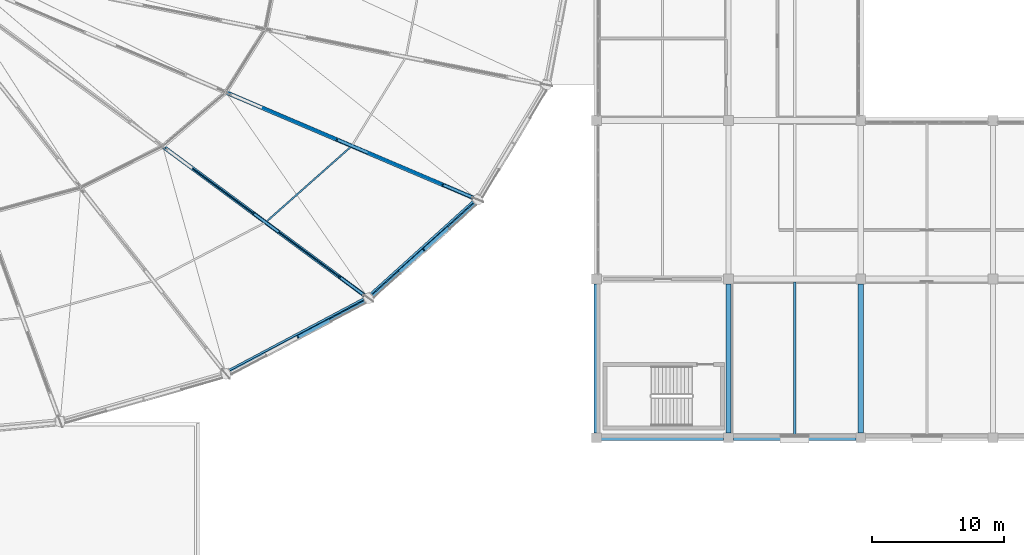
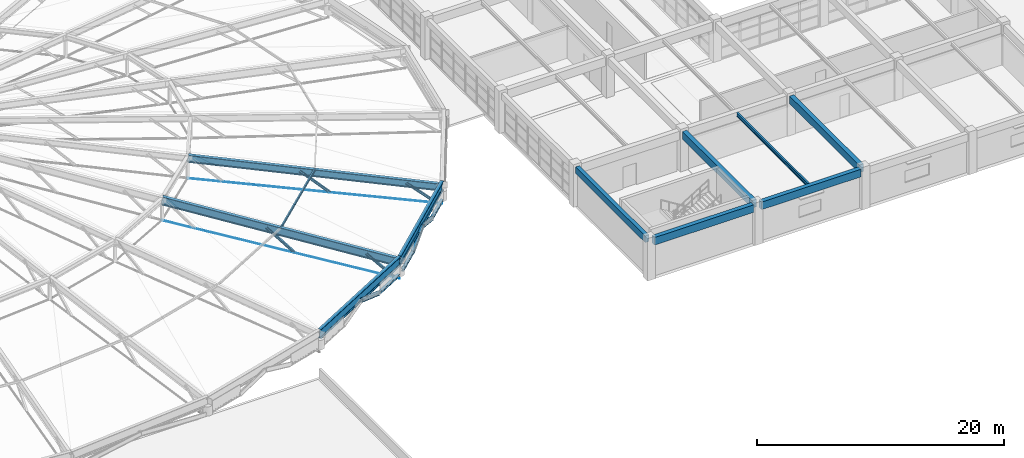
# One storey, part 7 of 83: 18 beams, 7 members.
"""IFC4 building model written with IfcOpenShell, lengths in metres."""

from ifc_helpers import new_model, si_unit, direction, frame, origin, origin_2d, place, context, subcontext, project, spatial, rectangle, hollow_rectangle, circle, i_section, extrude, material, material_profile, profile_set, type_object, element, save


model = new_model("IFC4")

# Units and contexts
model_context = context("Model", 3, precision=1e-05, world=origin(), true_north=direction((0.0, 1.0)))
body_context = subcontext(model_context, "Body", "Model", "MODEL_VIEW")
ifc_project = project(units=[si_unit("LENGTHUNIT", "METRE"), si_unit("AREAUNIT", "SQUARE_METRE"), si_unit("VOLUMEUNIT", "CUBIC_METRE"), si_unit("PLANEANGLEUNIT", "RADIAN"), si_unit("MASSUNIT", "GRAM", prefix="KILO")], contexts=[model_context])

# Site, building, storey
site_placement = place(None, origin())
site = spatial("IfcSite", under=ifc_project, at=site_placement, CompositionType="ELEMENT")
building_placement = place(site_placement, origin())
building = spatial("IfcBuilding", under=site, at=building_placement, Name="Kivolera Central Railway Station", CompositionType="ELEMENT")
storey_placement = place(building_placement, frame((0.0, 0.0, 14.39990234375)))
storey = spatial("IfcBuildingStorey", under=building, at=storey_placement, Name="L03", CompositionType="ELEMENT", Elevation=14.39990234375)

# Beams
ifc_material_1 = material(Name="Steel S355", Category="steel")
ifc_material_profile_1 = material_profile(ifc_material_1, hollow_rectangle(XDim=0.14990234375, YDim=0.300048828125, WallThickness=0.012451171875, at=origin_2d()), Name="RHS 300x150x12.5")
ifc_profile_set_1 = profile_set([ifc_material_profile_1], Name="Steel S355")
beam_type_1 = type_object("IfcBeamType", Name="BM-ARCH-HOOD", PredefinedType="SPANDREL", material=ifc_profile_set_1)
beam_1_placement = place(storey_placement, frame((90.2451171875, 59.117919921875, 0.735107421875), z_axis=(0.883122599964, 0.46914227419, 0.0), x_axis=(-0.46914227419, 0.883122599964, 0.0)))
element("IfcBeam", 1, at=beam_1_placement, inside=storey, type_object=beam_type_1, Name="Lantern Spandrel Hood Beam 21", PredefinedType="SPANDREL", context=body_context, shape_type="SweptSolid", body=[
    extrude(hollow_rectangle(XDim=0.14990234375, YDim=0.300048828125, WallThickness=0.012451171875, at=origin_2d()), origin(), (0.0, 0.0, 1.0), 11.485107421875),
])
beam_2_placement = place(storey_placement, frame((100.93603515625, 64.888916015625, 0.735107421875), z_axis=(0.742399938854, 0.669956961894, 0.0), x_axis=(-0.669956961894, 0.742399938854, 0.0)))
element("IfcBeam", 2, at=beam_2_placement, inside=storey, type_object=beam_type_1, Name="Lantern Spandrel Hood Beam 22", PredefinedType="SPANDREL", context=body_context, shape_type="SweptSolid", body=[
    extrude(hollow_rectangle(XDim=0.14990234375, YDim=0.300048828125, WallThickness=0.012451171875, at=origin_2d()), origin(), (0.0, 0.0, 1.0), 10.42041015625),
])
ifc_material_profile_2 = material_profile(ifc_material_1, i_section(OverallWidth=0.300048828125, OverallDepth=0.699951171875, WebThickness=0.01708984375, FlangeThickness=0.031982421875, FilletRadius=0.027099609375, at=origin_2d()), Name="HEB 700")
ifc_profile_set_2 = profile_set([ifc_material_profile_2], Name="Steel S355")
beam_type_2 = type_object("IfcBeamType", Name="BM-DRB-HEB700", PredefinedType="BEAM", material=ifc_profile_set_2)
beam_3_placement = place(storey_placement, frame((109.032958984375, 72.0, 1.18017578125), z_axis=(-0.897967287965, 0.382951053263, 0.216802307528), x_axis=(-0.392281255326, -0.919845322171, 0.0)))
element("IfcBeam", 3, at=beam_3_placement, inside=storey, type_object=beam_type_2, Name="Oval Dome Radial Arch Rib Outer Segment DRB1-23", PredefinedType="BEAM", context=body_context, shape_type="SweptSolid", body=[
    extrude(i_section(OverallWidth=0.300048828125, OverallDepth=0.699951171875, WebThickness=0.01708984375, FlangeThickness=0.031982421875, FilletRadius=0.027099609375, at=origin_2d()), origin(), (0.0, 0.0, 1.0), 21.216796875),
])
ifc_material_profile_3 = material_profile(ifc_material_1, i_section(OverallWidth=0.300048828125, OverallDepth=0.800048828125, WebThickness=0.017578125, FlangeThickness=0.032958984375, FilletRadius=0.030029296875, at=origin_2d()), Name="HEB 800")
ifc_profile_set_3 = profile_set([ifc_material_profile_3], Name="Steel S355")
beam_type_3 = type_object("IfcBeamType", Name="BM-DRB-HEB800", PredefinedType="BEAM", material=ifc_profile_set_3)
beam_4_placement = place(storey_placement, frame((100.77001953125, 64.5439453125, 1.18017578125), z_axis=(-0.782541033898, 0.578008518918, 0.231377791338), x_axis=(-0.594130867833, -0.804368393143, 0.0)))
element("IfcBeam", 4, at=beam_4_placement, inside=storey, type_object=beam_type_3, Name="Oval Dome Radial Arch Rib Outer Segment DRB1-22", PredefinedType="BEAM", context=body_context, shape_type="SweptSolid", body=[
    extrude(i_section(OverallWidth=0.300048828125, OverallDepth=0.800048828125, WebThickness=0.017578125, FlangeThickness=0.032958984375, FilletRadius=0.030029296875, at=origin_2d()), origin(), (0.0, 0.0, 1.0), 19.88037109375),
])
ifc_material_profile_4 = material_profile(ifc_material_1, i_section(OverallWidth=0.169921875, OverallDepth=0.360107421875, WebThickness=0.008056640625, FlangeThickness=0.0126953125, FilletRadius=0.01806640625, at=origin_2d()), Name="IPE 360")
ifc_profile_set_4 = profile_set([ifc_material_profile_4], Name="Steel S355")
beam_type_4 = type_object("IfcBeamType", Name="BM-JST-IPE360", PredefinedType="JOIST", material=ifc_profile_set_4)
beam_5_placement = place(storey_placement, frame((133.0, 54.19189453125, 3.748046875), z_axis=(0.0, 1.0, 0.0), x_axis=(-1.0, 0.0, 0.0)))
element("IfcBeam", 5, at=beam_5_placement, inside=storey, type_object=beam_type_4, Name="L03 Floor Joist 13-14/E-F", PredefinedType="JOIST", context=body_context, shape_type="SweptSolid", body=[
    extrude(i_section(OverallWidth=0.169921875, OverallDepth=0.360107421875, WebThickness=0.008056640625, FlangeThickness=0.0126953125, FilletRadius=0.01806640625, at=origin_2d()), origin(), (0.0, 0.0, 1.0), 11.591064453125),
])
ifc_material_profile_5 = material_profile(ifc_material_1, i_section(OverallWidth=0.300048828125, OverallDepth=0.300048828125, WebThickness=0.010986328125, FlangeThickness=0.01904296875, FilletRadius=0.027099609375, at=origin_2d()), Name="HEB 300")
ifc_profile_set_5 = profile_set([ifc_material_profile_5], Name="Steel S355")
beam_type_5 = type_object("IfcBeamType", Name="BM-LANT-ARCH", PredefinedType="SPANDREL", material=ifc_profile_set_5)
beam_6_placement = place(storey_placement, frame((95.44091796875, 61.577880859375, 1.06005859375), z_axis=(0.839588818924, 0.44588951011, -0.310279164483), x_axis=(-0.469038686522, 0.883177621176, 0.0)))
element("IfcBeam", 6, at=beam_6_placement, inside=storey, type_object=beam_type_5, Name="Oval Lantern Structural Arch Rib 21.4", PredefinedType="SPANDREL", context=body_context, shape_type="SweptSolid", body=[
    extrude(i_section(OverallWidth=0.300048828125, OverallDepth=0.300048828125, WebThickness=0.010986328125, FlangeThickness=0.01904296875, FilletRadius=0.027099609375, at=origin_2d()), origin(), (0.0, 0.0, 1.0), 2.900390625),
])
for number, where, z_axis, x_axis, name in (
    (7, (103.125, 66.508056640625, 0.16015625), (0.698677422423, 0.630242676209, 0.338591241001), (-0.669805712586, 0.742536401389, 0.0), "Oval Lantern Structural Arch Rib 22.3"),
    (8, (104.98193359375, 68.18310546875, 1.06005859375), (0.698764882595, 0.630146850874, -0.338589109668), (-0.669703326013, 0.742628746499, 0.0), "Oval Lantern Structural Arch Rib 22.4"),
):
    element("IfcBeam", number, at=place(storey_placement, frame(where, z_axis=z_axis, x_axis=x_axis)), inside=storey, type_object=beam_type_5, Name=name, PredefinedType="SPANDREL", context=body_context, shape_type="SweptSolid", body=[
        extrude(i_section(OverallWidth=0.300048828125, OverallDepth=0.300048828125, WebThickness=0.010986328125, FlangeThickness=0.01904296875, FilletRadius=0.027099609375, at=origin_2d()), origin(), (0.0, 0.0, 1.0), 2.65771484375),
    ])
ifc_material_profile_6 = material_profile(ifc_material_1, i_section(OverallWidth=0.239990234375, OverallDepth=0.22998046875, WebThickness=0.007568359375, FlangeThickness=0.011962890625, FilletRadius=0.02099609375, at=origin_2d()), Name="HEA 240")
ifc_profile_set_6 = profile_set([ifc_material_profile_6], Name="Steel S355")
beam_type_6 = type_object("IfcBeamType", Name="BM-LANT-HTIE", PredefinedType="SPANDREL", material=ifc_profile_set_6)
beam_7_placement = place(storey_placement, frame((97.8759765625, 62.87109375, 0.16015625), z_axis=(0.883252264421, 0.468898109822, 0.0), x_axis=(-0.468898109822, 0.883252264421, 0.0)))
element("IfcBeam", 9, at=beam_7_placement, inside=storey, type_object=beam_type_6, Name="Lantern Arch Spandrel Haunch Tie 21R", PredefinedType="SPANDREL", context=body_context, shape_type="SweptSolid", body=[
    extrude(i_section(OverallWidth=0.239990234375, OverallDepth=0.22998046875, WebThickness=0.007568359375, FlangeThickness=0.011962890625, FilletRadius=0.02099609375, at=origin_2d()), origin(), (0.0, 0.0, 1.0), 2.985595703125),
])
for number, where, z_axis, x_axis, name in (
    (10, (101.114013671875, 64.693115234375, 0.16015625), (0.742365783712, 0.669994808318, 0.0), (-0.669994808318, 0.742365783712, 0.0), "Lantern Arch Spandrel Haunch Tie 22L"),
    (11, (106.839111328125, 69.85791015625, 0.16015625), (0.742320957903, 0.670044472746, 0.0), (-0.670044472746, 0.742320957903, 0.0), "Lantern Arch Spandrel Haunch Tie 22R"),
):
    element("IfcBeam", number, at=place(storey_placement, frame(where, z_axis=z_axis, x_axis=x_axis)), inside=storey, type_object=beam_type_6, Name=name, PredefinedType="SPANDREL", context=body_context, shape_type="SweptSolid", body=[
        extrude(i_section(OverallWidth=0.239990234375, OverallDepth=0.22998046875, WebThickness=0.007568359375, FlangeThickness=0.011962890625, FilletRadius=0.02099609375, at=origin_2d()), origin(), (0.0, 0.0, 1.0), 2.708984375),
    ])
ifc_material_profile_7 = material_profile(ifc_material_1, i_section(OverallWidth=0.300048828125, OverallDepth=0.89990234375, WebThickness=0.0185546875, FlangeThickness=0.034912109375, FilletRadius=0.030029296875, at=origin_2d()), Name="HEB 900")
ifc_profile_set_7 = profile_set([ifc_material_profile_7], Name="Steel S355")
beam_type_7 = type_object("IfcBeamType", Name="BM-ORB-HEB900", PredefinedType="BEAM", material=ifc_profile_set_7)
beam_8_placement = place(storey_placement, frame((90.0, 58.822998046875, 1.35009765625), z_axis=(0.883136972992, 0.469115217122, 0.0), x_axis=(-0.469115217122, 0.883136972992, 0.0)))
element("IfcBeam", 12, at=beam_8_placement, inside=storey, type_object=beam_type_7, Name="Oval Dome Compression Ring Beam ORB-21", PredefinedType="BEAM", context=body_context, shape_type="SweptSolid", body=[
    extrude(i_section(OverallWidth=0.300048828125, OverallDepth=0.89990234375, WebThickness=0.0185546875, FlangeThickness=0.034912109375, FilletRadius=0.030029296875, at=origin_2d()), origin(), (0.0, 0.0, 1.0), 12.195068359375),
])
beam_9_placement = place(storey_placement, frame((100.77001953125, 64.5439453125, 1.35009765625), z_axis=(0.74242638035, 0.669927660095, 0.0), x_axis=(-0.669927660095, 0.74242638035, 0.0)))
element("IfcBeam", 13, at=beam_9_placement, inside=storey, type_object=beam_type_7, Name="Oval Dome Compression Ring Beam ORB-22", PredefinedType="BEAM", context=body_context, shape_type="SweptSolid", body=[
    extrude(i_section(OverallWidth=0.300048828125, OverallDepth=0.89990234375, WebThickness=0.0185546875, FlangeThickness=0.034912109375, FilletRadius=0.030029296875, at=origin_2d()), origin(), (0.0, 0.0, 1.0), 11.129638671875),
])
ifc_material_2 = material(Name="Concrete C40/50", Category="concrete")
ifc_material_profile_8 = material_profile(ifc_material_2, rectangle(XDim=0.39990234375, YDim=0.75, at=origin_2d()), Name="RC 400x750")
ifc_profile_set_8 = profile_set([ifc_material_profile_8], Name="Concrete C40/50")
beam_type_8 = type_object("IfcBeamType", Name="BM-RC-400x750", PredefinedType="BEAM", material=ifc_profile_set_8)
for number, where, z_axis, x_axis, name in (
    (14, (128.0, 54.366943359375, 3.565185546875), (0.0, 1.0, 0.0), (-1.0, 0.0, 0.0), "L03 Wing Y-Beam 13:E-F"),
    (15, (138.0, 54.366943359375, 3.565185546875), (0.0, 1.0, 0.0), (-1.0, 0.0, 0.0), "L03 Wing Y-Beam 14:E-F"),
):
    element("IfcBeam", number, at=place(storey_placement, frame(where, z_axis=z_axis, x_axis=x_axis)), inside=storey, type_object=beam_type_8, Name=name, PredefinedType="BEAM", context=body_context, shape_type="SweptSolid", body=[
        extrude(rectangle(XDim=0.39990234375, YDim=0.75, at=origin_2d()), origin(), (0.0, 0.0, 1.0), 11.26611328125),
    ])
ifc_material_profile_9 = material_profile(ifc_material_2, rectangle(XDim=0.35009765625, YDim=0.64990234375, at=origin_2d()), Name="RC 350x650")
ifc_profile_set_9 = profile_set([ifc_material_profile_9], Name="Concrete C40/50")
beam_type_9 = type_object("IfcBeamType", Name="BM-SPN-RC650", PredefinedType="SPANDREL", material=ifc_profile_set_9)
beam_10_placement = place(storey_placement, frame((118.0, 54.366943359375, 3.614990234375), z_axis=(0.0, 1.0, 0.0), x_axis=(-1.0, 0.0, 0.0)))
element("IfcBeam", 16, at=beam_10_placement, inside=storey, type_object=beam_type_9, Name="L03 Wing Y-Beam 12:E-F", PredefinedType="SPANDREL", context=body_context, shape_type="SweptSolid", body=[
    extrude(rectangle(XDim=0.35009765625, YDim=0.64990234375, at=origin_2d()), origin(), (0.0, 0.0, 1.0), 11.26611328125),
])
ifc_material_profile_10 = material_profile(ifc_material_2, rectangle(XDim=0.39990234375, YDim=0.75, at=origin_2d()), Name="RC 400x750")
ifc_profile_set_10 = profile_set([ifc_material_profile_10], Name="Concrete C40/50")
beam_type_10 = type_object("IfcBeamType", Name="BM-SPN-RC750", PredefinedType="SPANDREL", material=ifc_profile_set_10)
for number, where, z_axis, x_axis, name in (
    (17, (118.366943359375, 54.0, 3.565185546875), (1.0, 0.0, 0.0), (0.0, 1.0, 0.0), "L03 Wing X-Beam E:12-13"),
    (18, (128.366943359375, 54.0, 3.565185546875), (1.0, 0.0, 0.0), (0.0, 1.0, 0.0), "L03 Wing X-Beam E:13-14"),
):
    element("IfcBeam", number, at=place(storey_placement, frame(where, z_axis=z_axis, x_axis=x_axis)), inside=storey, type_object=beam_type_10, Name=name, PredefinedType="SPANDREL", context=body_context, shape_type="SweptSolid", body=[
        extrude(rectangle(XDim=0.39990234375, YDim=0.75, at=origin_2d()), origin(), (0.0, 0.0, 1.0), 9.26611328125),
    ])

# Members
ifc_material_3 = material(Name="Spiral strand steel S460", Category="steel")
ifc_material_profile_11 = material_profile(ifc_material_3, circle(Radius=0.031982421875, at=origin_2d()), Name="CABLE D64")
ifc_profile_set_11 = profile_set([ifc_material_profile_11], Name="Spiral strand steel S460")
member_type_1 = type_object("IfcMemberType", Name="MEM-CABLE-D64", PredefinedType="USERDEFINED", material=ifc_profile_set_11)
member_1_placement = place(storey_placement, frame((100.77001953125, 64.5439453125, -0.449951171875), z_axis=(-0.785794449216, 0.580411590051, 0.213657365229), x_axis=(-0.594130867833, -0.804368393143, 0.0)))
element("IfcMember", 19, at=member_1_placement, inside=storey, type_object=member_type_1, Name="Dome Radial Spiral-Strand Tension Cable RC1-22", ObjectType="TENSION_CABLE", PredefinedType="USERDEFINED", context=body_context, shape_type="SweptSolid", body=[
    extrude(circle(Radius=0.031982421875, at=origin_2d()), origin(), (0.0, 0.0, 1.0), 19.7978515625),
])
member_2_placement = place(storey_placement, frame((109.032958984375, 72.0, -0.449951171875), z_axis=(-0.901242554001, 0.384347837528, 0.200096473347), x_axis=(-0.392281255326, -0.919845322171, 0.0)))
element("IfcMember", 20, at=member_2_placement, inside=storey, type_object=member_type_1, Name="Dome Radial Spiral-Strand Tension Cable RC1-23", ObjectType="TENSION_CABLE", PredefinedType="USERDEFINED", context=body_context, shape_type="SweptSolid", body=[
    extrude(circle(Radius=0.031982421875, at=origin_2d()), origin(), (0.0, 0.0, 1.0), 21.1396484375),
])
ifc_material_profile_12 = material_profile(ifc_material_1, i_section(OverallWidth=0.1201171875, OverallDepth=0.239990234375, WebThickness=0.006103515625, FlangeThickness=0.009765625, FilletRadius=0.014892578125, at=origin_2d()), Name="IPE 240")
ifc_profile_set_12 = profile_set([ifc_material_profile_12], Name="Steel S355")
member_type_2 = type_object("IfcMemberType", Name="MEM-PUR-IPE240", PredefinedType="PURLIN", material=ifc_profile_set_12)
member_3_placement = place(storey_placement, frame((92.991943359375, 70.2900390625, 3.775146484375), z_axis=(0.748507030998, 0.663126854038, 0.0), x_axis=(-0.663126854038, 0.748507030998, 0.0)))
element("IfcMember", 21, at=member_3_placement, inside=storey, type_object=member_type_2, Name="Dome Outer Hoop Purlin DPUR1-22", PredefinedType="PURLIN", context=body_context, shape_type="SweptSolid", body=[
    extrude(i_section(OverallWidth=0.1201171875, OverallDepth=0.239990234375, WebThickness=0.006103515625, FlangeThickness=0.009765625, FilletRadius=0.014892578125, at=origin_2d()), origin(), (0.0, 0.0, 1.0), 8.7041015625),
])
ifc_material_profile_13 = material_profile(ifc_material_1, i_section(OverallWidth=0.199951171875, OverallDepth=0.199951171875, WebThickness=0.009033203125, FlangeThickness=0.014892578125, FilletRadius=0.01806640625, at=origin_2d()), Name="HEB 200")
ifc_profile_set_13 = profile_set([ifc_material_profile_13], Name="Steel S355")
member_type_3 = type_object("IfcMemberType", Name="MEM-RAF-HEB200", PredefinedType="RAFTER", material=ifc_profile_set_13)
member_4_placement = place(storey_placement, frame((100.458984375, 64.77392578125, -0.364990234375), z_axis=(-0.585131720573, 0.432249129007, 0.686135234521), x_axis=(-0.594178102773, -0.804333501842, 0.0)))
element("IfcMember", 22, at=member_4_placement, inside=storey, type_object=member_type_3, Name="Dome Radial Truss Raking Web DWEB1-22.1", PredefinedType="RAFTER", context=body_context, shape_type="SweptSolid", body=[
    extrude(i_section(OverallWidth=0.199951171875, OverallDepth=0.199951171875, WebThickness=0.009033203125, FlangeThickness=0.014892578125, FilletRadius=0.01806640625, at=origin_2d()), origin(), (0.0, 0.0, 1.0), 3.190673828125),
])
member_5_placement = place(storey_placement, frame((93.925048828125, 69.60009765625, 1.4111328125), z_axis=(-0.56585090259, 0.417931986116, 0.710735964349), x_axis=(-0.594110048077, -0.80438377083, 0.0)))
element("IfcMember", 23, at=member_5_placement, inside=storey, type_object=member_type_3, Name="Dome Radial Truss Raking Web DWEB1-22.2", PredefinedType="RAFTER", context=body_context, shape_type="SweptSolid", body=[
    extrude(i_section(OverallWidth=0.199951171875, OverallDepth=0.199951171875, WebThickness=0.009033203125, FlangeThickness=0.014892578125, FilletRadius=0.01806640625, at=origin_2d()), origin(), (0.0, 0.0, 1.0), 3.29931640625),
])
member_6_placement = place(storey_placement, frame((108.652099609375, 72.162109375, -0.364990234375), z_axis=(-0.69019647552, 0.294608640821, 0.660934621528), x_axis=(-0.392579383013, -0.919718124228, 0.0)))
element("IfcMember", 24, at=member_6_placement, inside=storey, type_object=member_type_3, Name="Dome Radial Truss Raking Web DWEB1-23.1", PredefinedType="RAFTER", context=body_context, shape_type="SweptSolid", body=[
    extrude(i_section(OverallWidth=0.199951171875, OverallDepth=0.199951171875, WebThickness=0.009033203125, FlangeThickness=0.014892578125, FilletRadius=0.01806640625, at=origin_2d()), origin(), (0.0, 0.0, 1.0), 3.312255859375),
])
member_7_placement = place(storey_placement, frame((100.64990234375, 75.574951171875, 1.4111328125), z_axis=(-0.669001075137, 0.285377581341, 0.686292355729), x_axis=(-0.392365547728, -0.9198093699, 0.0)))
element("IfcMember", 25, at=member_7_placement, inside=storey, type_object=member_type_3, Name="Dome Radial Truss Raking Web DWEB1-23.2", PredefinedType="RAFTER", context=body_context, shape_type="SweptSolid", body=[
    extrude(i_section(OverallWidth=0.199951171875, OverallDepth=0.199951171875, WebThickness=0.009033203125, FlangeThickness=0.014892578125, FilletRadius=0.01806640625, at=origin_2d()), origin(), (0.0, 0.0, 1.0), 3.416748046875),
])

save(model, "model.ifc")
